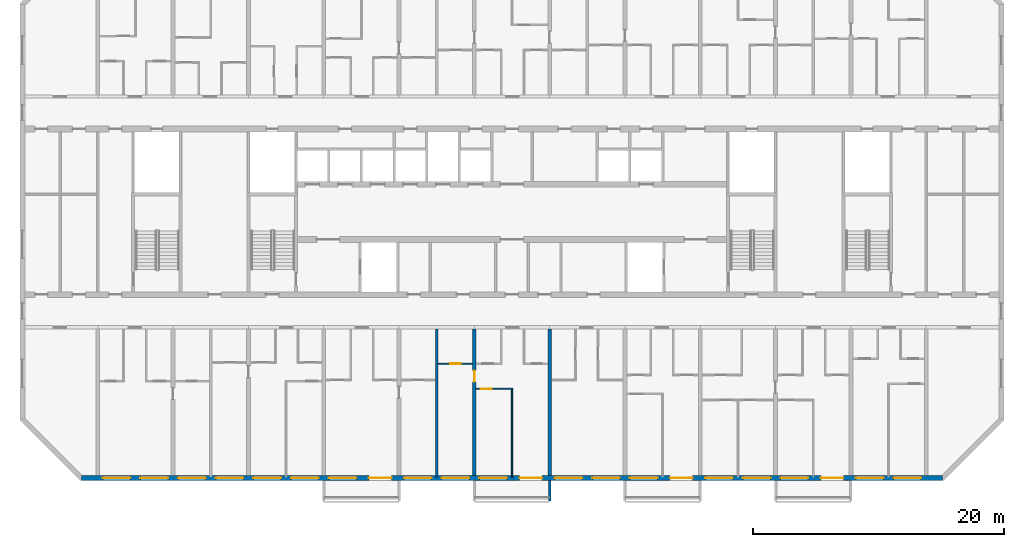
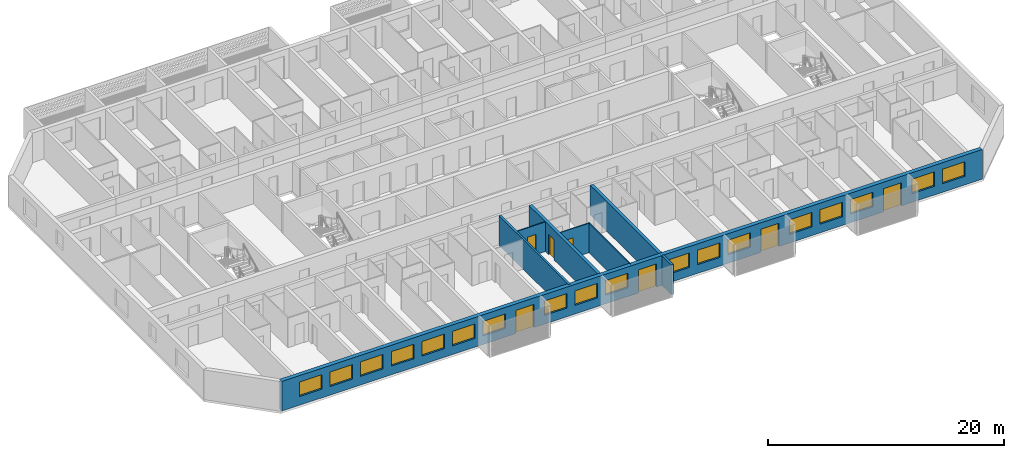
# One storey, part 4 of 32: 18 windows, 8 walls, 7 doors, 25 openings.
"""IFC4 building model written with IfcOpenShell, lengths in metres."""

from ifc_helpers import new_model, si_unit, direction, frame, frame_2d, origin, place, context, subcontext, project, spatial, polyline, rectangle, outline, extrude, source, transform, mapped, material, layer, layer_set, type_object, element, fill, save


model = new_model("IFC4")

# Units and contexts
model_context = context("Model", 3, precision=1e-05, world=origin(), true_north=direction((0.0, 1.0)))
body_context = subcontext(model_context, "Body", "Model", "MODEL_VIEW")
ifc_project = project(units=[si_unit("LENGTHUNIT", "METRE"), si_unit("AREAUNIT", "SQUARE_METRE"), si_unit("VOLUMEUNIT", "CUBIC_METRE"), si_unit("PLANEANGLEUNIT", "RADIAN"), si_unit("MASSUNIT", "GRAM", prefix="KILO")], contexts=[model_context])

# Site, building, storey
site_placement = place(None, origin())
site = spatial("IfcSite", under=ifc_project, at=site_placement, CompositionType="ELEMENT")
building_placement = place(site_placement, origin())
building = spatial("IfcBuilding", under=site, at=building_placement, Name="Poui Terraces", CompositionType="ELEMENT")
storey_placement = place(building_placement, frame((0.0, 0.0, 125.699951171875)))
storey = spatial("IfcBuildingStorey", under=building, at=storey_placement, Name="L34", CompositionType="ELEMENT", Elevation=125.699951171875)

# Wall, opening, door
ifc_material_1 = material(Name="Concrete 65 MPa", Category="concrete")
ifc_layer_1 = layer(ifc_material_1, 0.300048828125)
ifc_layer_set_1 = layer_set([ifc_layer_1], Name="Concrete 65 MPa")
wall_type_1 = type_object("IfcWallType", Name="CROSS WALL 300 65MPa", PredefinedType="SHEAR", material=ifc_layer_set_1)
wall_1_placement = place(storey_placement, frame((48.0, 0.199951171875, 0.0), z_axis=(0.0, 0.0, 1.0), x_axis=(0.0, 1.0, 0.0)))
wall_1 = element("IfcWall", 1, at=wall_1_placement, inside=storey, type_object=wall_type_1, Name="CROSS WALL LINE 9 SOUTH", PredefinedType="SHEAR", context=body_context, shape_type="SweptSolid", body=[
    extrude(rectangle(XDim=11.675048828125, YDim=0.300048828125, at=frame_2d((5.83740234375, 0.0))), origin(), (0.0, 0.0, 1.0), 3.070068359375),
])
opening_1_placement = place(wall_1_placement, frame((7.449951171875, 0.0, 0.0)))
opening_1 = element("IfcOpeningElement", 2, at=opening_1_placement, cuts=wall_1, Name="Opening D90", PredefinedType="OPENING", context=body_context, shape_type="SweptSolid", body=[
    extrude(rectangle(XDim=0.89990234375, YDim=2.10009765625, at=frame_2d((0.449951171875, 1.050048828125))), frame((0.0, 0.16015625, 0.0), z_axis=(0.0, -1.0, 0.0), x_axis=(1.0, 0.0, 0.0)), (0.0, 0.0, 1.0), 0.320068359375),
])
ifc_material_2 = material(Name="Solid core timber door", Category="wood")
door_type_1 = type_object("IfcDoorType", Name="INTERNAL DOOR 900 X 2100", OperationType="NOTDEFINED", PredefinedType="DOOR", material=ifc_material_2)
door_1_placement = place(opening_1_placement, origin())
door_1 = element("IfcDoor", 3, at=door_1_placement, inside=storey, type_object=door_type_1, Name="INTERNAL DOOR 096", OperationType="SINGLE_SWING_RIGHT", OverallHeight=2.10009765625, OverallWidth=0.89990234375, PredefinedType="DOOR", context=body_context, shape_type="SweptSolid", body=[
    extrude(rectangle(XDim=0.89990234375, YDim=2.10009765625, at=frame_2d((0.449951171875, 1.050048828125))), frame((0.0, 0.02490234375, 0.0), z_axis=(0.0, -1.0, 0.0), x_axis=(1.0, 0.0, 0.0)), (0.0, 0.0, 1.0), 0.050048828125),
])
fill(opening_1, door_1)

# Wall
wall_2_placement = place(storey_placement, frame((54.0, 0.199951171875, 0.0), z_axis=(0.0, 0.0, 1.0), x_axis=(0.0, 1.0, 0.0)))
element("IfcWall", 4, at=wall_2_placement, inside=storey, type_object=wall_type_1, Name="CROSS WALL LINE 10 SOUTH", PredefinedType="SHEAR", context=body_context, shape_type="SweptSolid", body=[
    extrude(rectangle(XDim=11.675048828125, YDim=0.300048828125, at=frame_2d((5.83740234375, 0.0))), origin(), (0.0, 0.0, 1.0), 3.070068359375),
])

# Wall, openings, doors, windows
ifc_material_3 = material(Name="Precast concrete 40 MPa", Category="concrete")
ifc_layer_2 = layer(ifc_material_3, 0.39990234375)
ifc_layer_set_2 = layer_set([ifc_layer_2], Name="Precast concrete 40 MPa")
wall_type_2 = type_object("IfcWallType", Name="EXTERNAL WALL 400", PredefinedType="STANDARD", material=ifc_layer_set_2)
wall_3_placement = place(storey_placement, frame((16.682861328125, 0.0, 0.0), z_axis=(0.0, 0.0, 1.0), x_axis=(1.0, 0.0, 0.0)))
wall_3 = element("IfcWall", 5, at=wall_3_placement, inside=storey, type_object=wall_type_2, Name="EXTERNAL WALL S", PredefinedType="STANDARD", context=body_context, shape_type="SweptSolid", body=[
    extrude(rectangle(XDim=68.63427734375, YDim=0.39990234375, at=frame_2d((34.317138671875, 0.0))), origin(), (0.0, 0.0, 1.0), 3.070068359375),
])
opening_2_placement = place(wall_3_placement, frame((1.71728515625, 0.0, 0.89990234375)))
opening_2 = element("IfcOpeningElement", 6, at=opening_2_placement, cuts=wall_3, Name="Opening W1", PredefinedType="OPENING", context=body_context, shape_type="SweptSolid", body=[
    extrude(rectangle(XDim=2.199951171875, YDim=1.5, at=frame_2d((1.10009765625, 0.75))), frame((0.0, 0.2099609375, 0.0), z_axis=(0.0, -1.0, 0.0), x_axis=(1.0, 0.0, 0.0)), (0.0, 0.0, 1.0), 0.419921875),
])
opening_3_placement = place(wall_3_placement, frame((4.71728515625, 0.0, 0.89990234375)))
opening_3 = element("IfcOpeningElement", 7, at=opening_3_placement, cuts=wall_3, Name="Opening W1", PredefinedType="OPENING", context=body_context, shape_type="SweptSolid", body=[
    extrude(rectangle(XDim=2.199951171875, YDim=1.5, at=frame_2d((1.10009765625, 0.75))), frame((0.0, 0.2099609375, 0.0), z_axis=(0.0, -1.0, 0.0), x_axis=(1.0, 0.0, 0.0)), (0.0, 0.0, 1.0), 0.419921875),
])
opening_4_placement = place(wall_3_placement, frame((7.71728515625, 0.0, 0.89990234375)))
opening_4 = element("IfcOpeningElement", 8, at=opening_4_placement, cuts=wall_3, Name="Opening W1", PredefinedType="OPENING", context=body_context, shape_type="SweptSolid", body=[
    extrude(rectangle(XDim=2.199951171875, YDim=1.5, at=frame_2d((1.10009765625, 0.75))), frame((0.0, 0.2099609375, 0.0), z_axis=(0.0, -1.0, 0.0), x_axis=(1.0, 0.0, 0.0)), (0.0, 0.0, 1.0), 0.419921875),
])
opening_5_placement = place(wall_3_placement, frame((10.71728515625, 0.0, 0.89990234375)))
opening_5 = element("IfcOpeningElement", 9, at=opening_5_placement, cuts=wall_3, Name="Opening W1", PredefinedType="OPENING", context=body_context, shape_type="SweptSolid", body=[
    extrude(rectangle(XDim=2.199951171875, YDim=1.5, at=frame_2d((1.10009765625, 0.75))), frame((0.0, 0.2099609375, 0.0), z_axis=(0.0, -1.0, 0.0), x_axis=(1.0, 0.0, 0.0)), (0.0, 0.0, 1.0), 0.419921875),
])
opening_6_placement = place(wall_3_placement, frame((13.71728515625, 0.0, 0.89990234375)))
opening_6 = element("IfcOpeningElement", 10, at=opening_6_placement, cuts=wall_3, Name="Opening W1", PredefinedType="OPENING", context=body_context, shape_type="SweptSolid", body=[
    extrude(rectangle(XDim=2.199951171875, YDim=1.5, at=frame_2d((1.10009765625, 0.75))), frame((0.0, 0.2099609375, 0.0), z_axis=(0.0, -1.0, 0.0), x_axis=(1.0, 0.0, 0.0)), (0.0, 0.0, 1.0), 0.419921875),
])
opening_7_placement = place(wall_3_placement, frame((16.71728515625, 0.0, 0.89990234375)))
opening_7 = element("IfcOpeningElement", 11, at=opening_7_placement, cuts=wall_3, Name="Opening W1", PredefinedType="OPENING", context=body_context, shape_type="SweptSolid", body=[
    extrude(rectangle(XDim=2.199951171875, YDim=1.5, at=frame_2d((1.10009765625, 0.75))), frame((0.0, 0.2099609375, 0.0), z_axis=(0.0, -1.0, 0.0), x_axis=(1.0, 0.0, 0.0)), (0.0, 0.0, 1.0), 0.419921875),
])
opening_8_placement = place(wall_3_placement, frame((19.71728515625, 0.0, 0.89990234375)))
opening_8 = element("IfcOpeningElement", 12, at=opening_8_placement, cuts=wall_3, Name="Opening W1", PredefinedType="OPENING", context=body_context, shape_type="SweptSolid", body=[
    extrude(rectangle(XDim=2.199951171875, YDim=1.5, at=frame_2d((1.10009765625, 0.75))), frame((0.0, 0.2099609375, 0.0), z_axis=(0.0, -1.0, 0.0), x_axis=(1.0, 0.0, 0.0)), (0.0, 0.0, 1.0), 0.419921875),
])
opening_9_placement = place(wall_3_placement, frame((22.917236328125, 0.0, 0.0)))
opening_9 = element("IfcOpeningElement", 13, at=opening_9_placement, cuts=wall_3, Name="Opening BD1", PredefinedType="OPENING", context=body_context, shape_type="SweptSolid", body=[
    extrude(rectangle(XDim=1.800048828125, YDim=2.39990234375, at=frame_2d((0.89990234375, 1.199951171875))), frame((0.0, 0.2099609375, 0.0), z_axis=(0.0, -1.0, 0.0), x_axis=(1.0, 0.0, 0.0)), (0.0, 0.0, 1.0), 0.419921875),
])
opening_10_placement = place(wall_3_placement, frame((25.71728515625, 0.0, 0.89990234375)))
opening_10 = element("IfcOpeningElement", 14, at=opening_10_placement, cuts=wall_3, Name="Opening W1", PredefinedType="OPENING", context=body_context, shape_type="SweptSolid", body=[
    extrude(rectangle(XDim=2.199951171875, YDim=1.5, at=frame_2d((1.10009765625, 0.75))), frame((0.0, 0.2099609375, 0.0), z_axis=(0.0, -1.0, 0.0), x_axis=(1.0, 0.0, 0.0)), (0.0, 0.0, 1.0), 0.419921875),
])
opening_11_placement = place(wall_3_placement, frame((28.71728515625, 0.0, 0.89990234375)))
opening_11 = element("IfcOpeningElement", 15, at=opening_11_placement, cuts=wall_3, Name="Opening W1", PredefinedType="OPENING", context=body_context, shape_type="SweptSolid", body=[
    extrude(rectangle(XDim=2.199951171875, YDim=1.5, at=frame_2d((1.10009765625, 0.75))), frame((0.0, 0.2099609375, 0.0), z_axis=(0.0, -1.0, 0.0), x_axis=(1.0, 0.0, 0.0)), (0.0, 0.0, 1.0), 0.419921875),
])
opening_12_placement = place(wall_3_placement, frame((31.71728515625, 0.0, 0.89990234375)))
opening_12 = element("IfcOpeningElement", 16, at=opening_12_placement, cuts=wall_3, Name="Opening W1", PredefinedType="OPENING", context=body_context, shape_type="SweptSolid", body=[
    extrude(rectangle(XDim=2.199951171875, YDim=1.5, at=frame_2d((1.10009765625, 0.75))), frame((0.0, 0.2099609375, 0.0), z_axis=(0.0, -1.0, 0.0), x_axis=(1.0, 0.0, 0.0)), (0.0, 0.0, 1.0), 0.419921875),
])
opening_13_placement = place(wall_3_placement, frame((34.917236328125, 0.0, 0.0)))
opening_13 = element("IfcOpeningElement", 17, at=opening_13_placement, cuts=wall_3, Name="Opening BD1", PredefinedType="OPENING", context=body_context, shape_type="SweptSolid", body=[
    extrude(rectangle(XDim=1.800048828125, YDim=2.39990234375, at=frame_2d((0.89990234375, 1.199951171875))), frame((0.0, 0.2099609375, 0.0), z_axis=(0.0, -1.0, 0.0), x_axis=(1.0, 0.0, 0.0)), (0.0, 0.0, 1.0), 0.419921875),
])
opening_14_placement = place(wall_3_placement, frame((37.71728515625, 0.0, 0.89990234375)))
opening_14 = element("IfcOpeningElement", 18, at=opening_14_placement, cuts=wall_3, Name="Opening W1", PredefinedType="OPENING", context=body_context, shape_type="SweptSolid", body=[
    extrude(rectangle(XDim=2.199951171875, YDim=1.5, at=frame_2d((1.10009765625, 0.75))), frame((0.0, 0.2099609375, 0.0), z_axis=(0.0, -1.0, 0.0), x_axis=(1.0, 0.0, 0.0)), (0.0, 0.0, 1.0), 0.419921875),
])
opening_15_placement = place(wall_3_placement, frame((40.71728515625, 0.0, 0.89990234375)))
opening_15 = element("IfcOpeningElement", 19, at=opening_15_placement, cuts=wall_3, Name="Opening W1", PredefinedType="OPENING", context=body_context, shape_type="SweptSolid", body=[
    extrude(rectangle(XDim=2.199951171875, YDim=1.5, at=frame_2d((1.10009765625, 0.75))), frame((0.0, 0.2099609375, 0.0), z_axis=(0.0, -1.0, 0.0), x_axis=(1.0, 0.0, 0.0)), (0.0, 0.0, 1.0), 0.419921875),
])
opening_16_placement = place(wall_3_placement, frame((43.71728515625, 0.0, 0.89990234375)))
opening_16 = element("IfcOpeningElement", 20, at=opening_16_placement, cuts=wall_3, Name="Opening W1", PredefinedType="OPENING", context=body_context, shape_type="SweptSolid", body=[
    extrude(rectangle(XDim=2.199951171875, YDim=1.5, at=frame_2d((1.10009765625, 0.75))), frame((0.0, 0.2099609375, 0.0), z_axis=(0.0, -1.0, 0.0), x_axis=(1.0, 0.0, 0.0)), (0.0, 0.0, 1.0), 0.419921875),
])
opening_17_placement = place(wall_3_placement, frame((46.917236328125, 0.0, 0.0)))
opening_17 = element("IfcOpeningElement", 21, at=opening_17_placement, cuts=wall_3, Name="Opening BD1", PredefinedType="OPENING", context=body_context, shape_type="SweptSolid", body=[
    extrude(rectangle(XDim=1.800048828125, YDim=2.39990234375, at=frame_2d((0.89990234375, 1.199951171875))), frame((0.0, 0.2099609375, 0.0), z_axis=(0.0, -1.0, 0.0), x_axis=(1.0, 0.0, 0.0)), (0.0, 0.0, 1.0), 0.419921875),
])
opening_18_placement = place(wall_3_placement, frame((49.71728515625, 0.0, 0.89990234375)))
opening_18 = element("IfcOpeningElement", 22, at=opening_18_placement, cuts=wall_3, Name="Opening W1", PredefinedType="OPENING", context=body_context, shape_type="SweptSolid", body=[
    extrude(rectangle(XDim=2.199951171875, YDim=1.5, at=frame_2d((1.10009765625, 0.75))), frame((0.0, 0.2099609375, 0.0), z_axis=(0.0, -1.0, 0.0), x_axis=(1.0, 0.0, 0.0)), (0.0, 0.0, 1.0), 0.419921875),
])
opening_19_placement = place(wall_3_placement, frame((52.71728515625, 0.0, 0.89990234375)))
opening_19 = element("IfcOpeningElement", 23, at=opening_19_placement, cuts=wall_3, Name="Opening W1", PredefinedType="OPENING", context=body_context, shape_type="SweptSolid", body=[
    extrude(rectangle(XDim=2.199951171875, YDim=1.5, at=frame_2d((1.10009765625, 0.75))), frame((0.0, 0.2099609375, 0.0), z_axis=(0.0, -1.0, 0.0), x_axis=(1.0, 0.0, 0.0)), (0.0, 0.0, 1.0), 0.419921875),
])
opening_20_placement = place(wall_3_placement, frame((55.71728515625, 0.0, 0.89990234375)))
opening_20 = element("IfcOpeningElement", 24, at=opening_20_placement, cuts=wall_3, Name="Opening W1", PredefinedType="OPENING", context=body_context, shape_type="SweptSolid", body=[
    extrude(rectangle(XDim=2.199951171875, YDim=1.5, at=frame_2d((1.10009765625, 0.75))), frame((0.0, 0.2099609375, 0.0), z_axis=(0.0, -1.0, 0.0), x_axis=(1.0, 0.0, 0.0)), (0.0, 0.0, 1.0), 0.419921875),
])
opening_21_placement = place(wall_3_placement, frame((58.917236328125, 0.0, 0.0)))
opening_21 = element("IfcOpeningElement", 25, at=opening_21_placement, cuts=wall_3, Name="Opening BD1", PredefinedType="OPENING", context=body_context, shape_type="SweptSolid", body=[
    extrude(rectangle(XDim=1.800048828125, YDim=2.39990234375, at=frame_2d((0.89990234375, 1.199951171875))), frame((0.0, 0.2099609375, 0.0), z_axis=(0.0, -1.0, 0.0), x_axis=(1.0, 0.0, 0.0)), (0.0, 0.0, 1.0), 0.419921875),
])
opening_22_placement = place(wall_3_placement, frame((61.71728515625, 0.0, 0.89990234375)))
opening_22 = element("IfcOpeningElement", 26, at=opening_22_placement, cuts=wall_3, Name="Opening W1", PredefinedType="OPENING", context=body_context, shape_type="SweptSolid", body=[
    extrude(rectangle(XDim=2.199951171875, YDim=1.5, at=frame_2d((1.10009765625, 0.75))), frame((0.0, 0.2099609375, 0.0), z_axis=(0.0, -1.0, 0.0), x_axis=(1.0, 0.0, 0.0)), (0.0, 0.0, 1.0), 0.419921875),
])
opening_23_placement = place(wall_3_placement, frame((64.71728515625, 0.0, 0.89990234375)))
opening_23 = element("IfcOpeningElement", 27, at=opening_23_placement, cuts=wall_3, Name="Opening W1", PredefinedType="OPENING", context=body_context, shape_type="SweptSolid", body=[
    extrude(rectangle(XDim=2.199951171875, YDim=1.5, at=frame_2d((1.10009765625, 0.75))), frame((0.0, 0.2099609375, 0.0), z_axis=(0.0, -1.0, 0.0), x_axis=(1.0, 0.0, 0.0)), (0.0, 0.0, 1.0), 0.419921875),
])
ifc_material_4 = material(Name="Clear glass in aluminium frame", Category="aluminium")
door_type_2 = type_object("IfcDoorType", Name="BALCONY DOOR 1800X2400", OperationType="DOUBLE_DOOR_SLIDING", PredefinedType="DOOR", material=ifc_material_4)
door_2_placement = place(opening_9_placement, origin())
door_2 = element("IfcDoor", 28, at=door_2_placement, inside=storey, type_object=door_type_2, Name="BD1 BALCONY DOOR", OperationType="DOUBLE_DOOR_SLIDING", OverallHeight=2.39990234375, OverallWidth=1.800048828125, PredefinedType="DOOR", context=body_context, shape_type="SweptSolid", body=[
    extrude(rectangle(XDim=1.800048828125, YDim=2.39990234375, at=frame_2d((0.89990234375, 1.199951171875))), frame((0.0, 0.02490234375, 0.0), z_axis=(0.0, -1.0, 0.0), x_axis=(1.0, 0.0, 0.0)), (0.0, 0.0, 1.0), 0.050048828125),
])
fill(opening_9, door_2)
door_3_placement = place(opening_13_placement, origin())
door_3 = element("IfcDoor", 29, at=door_3_placement, inside=storey, type_object=door_type_2, Name="BD1 BALCONY DOOR", OperationType="DOUBLE_DOOR_SLIDING", OverallHeight=2.39990234375, OverallWidth=1.800048828125, PredefinedType="DOOR", context=body_context, shape_type="SweptSolid", body=[
    extrude(rectangle(XDim=1.800048828125, YDim=2.39990234375, at=frame_2d((0.89990234375, 1.199951171875))), frame((0.0, 0.02490234375, 0.0), z_axis=(0.0, -1.0, 0.0), x_axis=(1.0, 0.0, 0.0)), (0.0, 0.0, 1.0), 0.050048828125),
])
fill(opening_13, door_3)
door_4_placement = place(opening_17_placement, origin())
door_4 = element("IfcDoor", 30, at=door_4_placement, inside=storey, type_object=door_type_2, Name="BD1 BALCONY DOOR", OperationType="DOUBLE_DOOR_SLIDING", OverallHeight=2.39990234375, OverallWidth=1.800048828125, PredefinedType="DOOR", context=body_context, shape_type="SweptSolid", body=[
    extrude(rectangle(XDim=1.800048828125, YDim=2.39990234375, at=frame_2d((0.89990234375, 1.199951171875))), frame((0.0, 0.02490234375, 0.0), z_axis=(0.0, -1.0, 0.0), x_axis=(1.0, 0.0, 0.0)), (0.0, 0.0, 1.0), 0.050048828125),
])
fill(opening_17, door_4)
door_5_placement = place(opening_21_placement, origin())
door_5 = element("IfcDoor", 31, at=door_5_placement, inside=storey, type_object=door_type_2, Name="BD1 BALCONY DOOR", OperationType="DOUBLE_DOOR_SLIDING", OverallHeight=2.39990234375, OverallWidth=1.800048828125, PredefinedType="DOOR", context=body_context, shape_type="SweptSolid", body=[
    extrude(rectangle(XDim=1.800048828125, YDim=2.39990234375, at=frame_2d((0.89990234375, 1.199951171875))), frame((0.0, 0.02490234375, 0.0), z_axis=(0.0, -1.0, 0.0), x_axis=(1.0, 0.0, 0.0)), (0.0, 0.0, 1.0), 0.050048828125),
])
fill(opening_21, door_5)
window_type = type_object("IfcWindowType", Name="WINDOW 2200X1500", PartitioningType="DOUBLE_PANEL_HORIZONTAL", PredefinedType="WINDOW", material=ifc_material_4)
window_1_placement = place(opening_2_placement, origin())
window_1 = element("IfcWindow", 32, at=window_1_placement, inside=storey, type_object=window_type, Name="W1 WINDOW", OverallHeight=1.5, OverallWidth=2.199951171875, PartitioningType="DOUBLE_PANEL_HORIZONTAL", PredefinedType="WINDOW", context=body_context, shape_type="SweptSolid", body=[
    extrude(rectangle(XDim=2.199951171875, YDim=1.5, at=frame_2d((1.10009765625, 0.75))), frame((0.0, 0.030029296875, 0.0), z_axis=(0.0, -1.0, 0.0), x_axis=(1.0, 0.0, 0.0)), (0.0, 0.0, 1.0), 0.06005859375),
])
fill(opening_2, window_1)
window_2_placement = place(opening_3_placement, origin())
window_2 = element("IfcWindow", 33, at=window_2_placement, inside=storey, type_object=window_type, Name="W1 WINDOW", OverallHeight=1.5, OverallWidth=2.199951171875, PartitioningType="DOUBLE_PANEL_HORIZONTAL", PredefinedType="WINDOW", context=body_context, shape_type="SweptSolid", body=[
    extrude(rectangle(XDim=2.199951171875, YDim=1.5, at=frame_2d((1.10009765625, 0.75))), frame((0.0, 0.030029296875, 0.0), z_axis=(0.0, -1.0, 0.0), x_axis=(1.0, 0.0, 0.0)), (0.0, 0.0, 1.0), 0.06005859375),
])
fill(opening_3, window_2)
window_3_placement = place(opening_4_placement, origin())
window_3 = element("IfcWindow", 34, at=window_3_placement, inside=storey, type_object=window_type, Name="W1 WINDOW", OverallHeight=1.5, OverallWidth=2.199951171875, PartitioningType="DOUBLE_PANEL_HORIZONTAL", PredefinedType="WINDOW", context=body_context, shape_type="SweptSolid", body=[
    extrude(rectangle(XDim=2.199951171875, YDim=1.5, at=frame_2d((1.10009765625, 0.75))), frame((0.0, 0.030029296875, 0.0), z_axis=(0.0, -1.0, 0.0), x_axis=(1.0, 0.0, 0.0)), (0.0, 0.0, 1.0), 0.06005859375),
])
fill(opening_4, window_3)
window_4_placement = place(opening_5_placement, origin())
window_4 = element("IfcWindow", 35, at=window_4_placement, inside=storey, type_object=window_type, Name="W1 WINDOW", OverallHeight=1.5, OverallWidth=2.199951171875, PartitioningType="DOUBLE_PANEL_HORIZONTAL", PredefinedType="WINDOW", context=body_context, shape_type="SweptSolid", body=[
    extrude(rectangle(XDim=2.199951171875, YDim=1.5, at=frame_2d((1.10009765625, 0.75))), frame((0.0, 0.030029296875, 0.0), z_axis=(0.0, -1.0, 0.0), x_axis=(1.0, 0.0, 0.0)), (0.0, 0.0, 1.0), 0.06005859375),
])
fill(opening_5, window_4)
window_5_placement = place(opening_6_placement, origin())
window_5 = element("IfcWindow", 36, at=window_5_placement, inside=storey, type_object=window_type, Name="W1 WINDOW", OverallHeight=1.5, OverallWidth=2.199951171875, PartitioningType="DOUBLE_PANEL_HORIZONTAL", PredefinedType="WINDOW", context=body_context, shape_type="SweptSolid", body=[
    extrude(rectangle(XDim=2.199951171875, YDim=1.5, at=frame_2d((1.10009765625, 0.75))), frame((0.0, 0.030029296875, 0.0), z_axis=(0.0, -1.0, 0.0), x_axis=(1.0, 0.0, 0.0)), (0.0, 0.0, 1.0), 0.06005859375),
])
fill(opening_6, window_5)
window_6_placement = place(opening_7_placement, origin())
window_6 = element("IfcWindow", 37, at=window_6_placement, inside=storey, type_object=window_type, Name="W1 WINDOW", OverallHeight=1.5, OverallWidth=2.199951171875, PartitioningType="DOUBLE_PANEL_HORIZONTAL", PredefinedType="WINDOW", context=body_context, shape_type="SweptSolid", body=[
    extrude(rectangle(XDim=2.199951171875, YDim=1.5, at=frame_2d((1.10009765625, 0.75))), frame((0.0, 0.030029296875, 0.0), z_axis=(0.0, -1.0, 0.0), x_axis=(1.0, 0.0, 0.0)), (0.0, 0.0, 1.0), 0.06005859375),
])
fill(opening_7, window_6)
window_7_placement = place(opening_8_placement, origin())
window_7 = element("IfcWindow", 38, at=window_7_placement, inside=storey, type_object=window_type, Name="W1 WINDOW", OverallHeight=1.5, OverallWidth=2.199951171875, PartitioningType="DOUBLE_PANEL_HORIZONTAL", PredefinedType="WINDOW", context=body_context, shape_type="SweptSolid", body=[
    extrude(rectangle(XDim=2.199951171875, YDim=1.5, at=frame_2d((1.10009765625, 0.75))), frame((0.0, 0.030029296875, 0.0), z_axis=(0.0, -1.0, 0.0), x_axis=(1.0, 0.0, 0.0)), (0.0, 0.0, 1.0), 0.06005859375),
])
fill(opening_8, window_7)
window_8_placement = place(opening_10_placement, origin())
window_8 = element("IfcWindow", 39, at=window_8_placement, inside=storey, type_object=window_type, Name="W1 WINDOW", OverallHeight=1.5, OverallWidth=2.199951171875, PartitioningType="DOUBLE_PANEL_HORIZONTAL", PredefinedType="WINDOW", context=body_context, shape_type="SweptSolid", body=[
    extrude(rectangle(XDim=2.199951171875, YDim=1.5, at=frame_2d((1.10009765625, 0.75))), frame((0.0, 0.030029296875, 0.0), z_axis=(0.0, -1.0, 0.0), x_axis=(1.0, 0.0, 0.0)), (0.0, 0.0, 1.0), 0.06005859375),
])
fill(opening_10, window_8)
window_9_placement = place(opening_11_placement, origin())
window_9 = element("IfcWindow", 40, at=window_9_placement, inside=storey, type_object=window_type, Name="W1 WINDOW", OverallHeight=1.5, OverallWidth=2.199951171875, PartitioningType="DOUBLE_PANEL_HORIZONTAL", PredefinedType="WINDOW", context=body_context, shape_type="SweptSolid", body=[
    extrude(rectangle(XDim=2.199951171875, YDim=1.5, at=frame_2d((1.10009765625, 0.75))), frame((0.0, 0.030029296875, 0.0), z_axis=(0.0, -1.0, 0.0), x_axis=(1.0, 0.0, 0.0)), (0.0, 0.0, 1.0), 0.06005859375),
])
fill(opening_11, window_9)
window_10_placement = place(opening_12_placement, origin())
window_10 = element("IfcWindow", 41, at=window_10_placement, inside=storey, type_object=window_type, Name="W1 WINDOW", OverallHeight=1.5, OverallWidth=2.199951171875, PartitioningType="DOUBLE_PANEL_HORIZONTAL", PredefinedType="WINDOW", context=body_context, shape_type="SweptSolid", body=[
    extrude(rectangle(XDim=2.199951171875, YDim=1.5, at=frame_2d((1.10009765625, 0.75))), frame((0.0, 0.030029296875, 0.0), z_axis=(0.0, -1.0, 0.0), x_axis=(1.0, 0.0, 0.0)), (0.0, 0.0, 1.0), 0.06005859375),
])
fill(opening_12, window_10)
window_11_placement = place(opening_14_placement, origin())
window_11 = element("IfcWindow", 42, at=window_11_placement, inside=storey, type_object=window_type, Name="W1 WINDOW", OverallHeight=1.5, OverallWidth=2.199951171875, PartitioningType="DOUBLE_PANEL_HORIZONTAL", PredefinedType="WINDOW", context=body_context, shape_type="SweptSolid", body=[
    extrude(rectangle(XDim=2.199951171875, YDim=1.5, at=frame_2d((1.10009765625, 0.75))), frame((0.0, 0.030029296875, 0.0), z_axis=(0.0, -1.0, 0.0), x_axis=(1.0, 0.0, 0.0)), (0.0, 0.0, 1.0), 0.06005859375),
])
fill(opening_14, window_11)
window_12_placement = place(opening_15_placement, origin())
window_12 = element("IfcWindow", 43, at=window_12_placement, inside=storey, type_object=window_type, Name="W1 WINDOW", OverallHeight=1.5, OverallWidth=2.199951171875, PartitioningType="DOUBLE_PANEL_HORIZONTAL", PredefinedType="WINDOW", context=body_context, shape_type="SweptSolid", body=[
    extrude(rectangle(XDim=2.199951171875, YDim=1.5, at=frame_2d((1.10009765625, 0.75))), frame((0.0, 0.030029296875, 0.0), z_axis=(0.0, -1.0, 0.0), x_axis=(1.0, 0.0, 0.0)), (0.0, 0.0, 1.0), 0.06005859375),
])
fill(opening_15, window_12)
window_13_placement = place(opening_16_placement, origin())
window_13 = element("IfcWindow", 44, at=window_13_placement, inside=storey, type_object=window_type, Name="W1 WINDOW", OverallHeight=1.5, OverallWidth=2.199951171875, PartitioningType="DOUBLE_PANEL_HORIZONTAL", PredefinedType="WINDOW", context=body_context, shape_type="SweptSolid", body=[
    extrude(rectangle(XDim=2.199951171875, YDim=1.5, at=frame_2d((1.10009765625, 0.75))), frame((0.0, 0.030029296875, 0.0), z_axis=(0.0, -1.0, 0.0), x_axis=(1.0, 0.0, 0.0)), (0.0, 0.0, 1.0), 0.06005859375),
])
fill(opening_16, window_13)
window_14_placement = place(opening_18_placement, origin())
window_14 = element("IfcWindow", 45, at=window_14_placement, inside=storey, type_object=window_type, Name="W1 WINDOW", OverallHeight=1.5, OverallWidth=2.199951171875, PartitioningType="DOUBLE_PANEL_HORIZONTAL", PredefinedType="WINDOW", context=body_context, shape_type="SweptSolid", body=[
    extrude(rectangle(XDim=2.199951171875, YDim=1.5, at=frame_2d((1.10009765625, 0.75))), frame((0.0, 0.030029296875, 0.0), z_axis=(0.0, -1.0, 0.0), x_axis=(1.0, 0.0, 0.0)), (0.0, 0.0, 1.0), 0.06005859375),
])
fill(opening_18, window_14)
window_15_placement = place(opening_19_placement, origin())
window_15 = element("IfcWindow", 46, at=window_15_placement, inside=storey, type_object=window_type, Name="W1 WINDOW", OverallHeight=1.5, OverallWidth=2.199951171875, PartitioningType="DOUBLE_PANEL_HORIZONTAL", PredefinedType="WINDOW", context=body_context, shape_type="SweptSolid", body=[
    extrude(rectangle(XDim=2.199951171875, YDim=1.5, at=frame_2d((1.10009765625, 0.75))), frame((0.0, 0.030029296875, 0.0), z_axis=(0.0, -1.0, 0.0), x_axis=(1.0, 0.0, 0.0)), (0.0, 0.0, 1.0), 0.06005859375),
])
fill(opening_19, window_15)
window_16_placement = place(opening_20_placement, origin())
window_16 = element("IfcWindow", 47, at=window_16_placement, inside=storey, type_object=window_type, Name="W1 WINDOW", OverallHeight=1.5, OverallWidth=2.199951171875, PartitioningType="DOUBLE_PANEL_HORIZONTAL", PredefinedType="WINDOW", context=body_context, shape_type="SweptSolid", body=[
    extrude(rectangle(XDim=2.199951171875, YDim=1.5, at=frame_2d((1.10009765625, 0.75))), frame((0.0, 0.030029296875, 0.0), z_axis=(0.0, -1.0, 0.0), x_axis=(1.0, 0.0, 0.0)), (0.0, 0.0, 1.0), 0.06005859375),
])
fill(opening_20, window_16)
window_17_placement = place(opening_22_placement, origin())
window_17 = element("IfcWindow", 48, at=window_17_placement, inside=storey, type_object=window_type, Name="W1 WINDOW", OverallHeight=1.5, OverallWidth=2.199951171875, PartitioningType="DOUBLE_PANEL_HORIZONTAL", PredefinedType="WINDOW", context=body_context, shape_type="SweptSolid", body=[
    extrude(rectangle(XDim=2.199951171875, YDim=1.5, at=frame_2d((1.10009765625, 0.75))), frame((0.0, 0.030029296875, 0.0), z_axis=(0.0, -1.0, 0.0), x_axis=(1.0, 0.0, 0.0)), (0.0, 0.0, 1.0), 0.06005859375),
])
fill(opening_22, window_17)
window_18_placement = place(opening_23_placement, origin())
window_18 = element("IfcWindow", 49, at=window_18_placement, inside=storey, type_object=window_type, Name="W1 WINDOW", OverallHeight=1.5, OverallWidth=2.199951171875, PartitioningType="DOUBLE_PANEL_HORIZONTAL", PredefinedType="WINDOW", context=body_context, shape_type="SweptSolid", body=[
    extrude(rectangle(XDim=2.199951171875, YDim=1.5, at=frame_2d((1.10009765625, 0.75))), frame((0.0, 0.030029296875, 0.0), z_axis=(0.0, -1.0, 0.0), x_axis=(1.0, 0.0, 0.0)), (0.0, 0.0, 1.0), 0.06005859375),
])
fill(opening_23, window_18)

# Wall, opening, door
ifc_material_5 = material(Name="Plasterboard partition")
ifc_layer_3 = layer(ifc_material_5, 0.10009765625)
ifc_layer_set_3 = layer_set([ifc_layer_3], Name="Plasterboard partition")
wall_type_3 = type_object("IfcWallType", Name="FLAT PARTITION 100", PredefinedType="PARTITIONING", material=ifc_layer_set_3)
wall_4_placement = place(storey_placement, frame((48.159912109375, 7.10009765625, 0.0), z_axis=(0.0, 0.0, 1.0), x_axis=(1.0, 0.0, 0.0)))
wall_4 = element("IfcWall", 50, at=wall_4_placement, inside=storey, type_object=wall_type_3, Name="FLAT PARTITION 100", PredefinedType="PARTITIONING", context=body_context, shape_type="SweptSolid", body=[
    extrude(rectangle(XDim=2.89013671875, YDim=0.10009765625, at=frame_2d((1.445068359375, 0.0))), origin(), (0.0, 0.0, 1.0), 3.070068359375),
])
opening_24_placement = place(wall_4_placement, frame((0.340087890625, 0.0, 0.0)))
opening_24 = element("IfcOpeningElement", 51, at=opening_24_placement, cuts=wall_4, Name="Opening D90", PredefinedType="OPENING", context=body_context, shape_type="SweptSolid", body=[
    extrude(rectangle(XDim=0.89990234375, YDim=2.10009765625, at=frame_2d((0.449951171875, 1.050048828125))), frame((0.0, 0.06005859375, 0.0), z_axis=(0.0, -1.0, 0.0), x_axis=(1.0, 0.0, 0.0)), (0.0, 0.0, 1.0), 0.1201171875),
])
door_6_placement = place(opening_24_placement, origin())
door_6 = element("IfcDoor", 52, at=door_6_placement, inside=storey, type_object=door_type_1, Name="INTERNAL DOOR 097", OperationType="SINGLE_SWING_RIGHT", OverallHeight=2.10009765625, OverallWidth=0.89990234375, PredefinedType="DOOR", context=body_context, shape_type="SweptSolid", body=[
    extrude(rectangle(XDim=0.89990234375, YDim=2.10009765625, at=frame_2d((0.449951171875, 1.050048828125))), frame((0.0, 0.02490234375, 0.0), z_axis=(0.0, -1.0, 0.0), x_axis=(1.0, 0.0, 0.0)), (0.0, 0.0, 1.0), 0.050048828125),
])
fill(opening_24, door_6)

wall_5_placement = place(storey_placement, frame((45.10009765625, 9.10009765625, 0.0), z_axis=(0.0, 0.0, 1.0), x_axis=(1.0, 0.0, 0.0)))
wall_5 = element("IfcWall", 53, at=wall_5_placement, inside=storey, type_object=wall_type_3, Name="FLAT PARTITION 100", PredefinedType="PARTITIONING", context=body_context, shape_type="SweptSolid", body=[
    extrude(rectangle(XDim=2.739990234375, YDim=0.10009765625, at=frame_2d((1.3701171875, 0.0))), origin(), (0.0, 0.0, 1.0), 3.070068359375),
])
opening_25_placement = place(wall_5_placement, frame((1.0, 0.0, 0.0)))
opening_25 = element("IfcOpeningElement", 54, at=opening_25_placement, cuts=wall_5, Name="Opening D80", PredefinedType="OPENING", context=body_context, shape_type="SweptSolid", body=[
    extrude(rectangle(XDim=0.800048828125, YDim=2.10009765625, at=frame_2d((0.39990234375, 1.050048828125))), frame((0.0, 0.06005859375, 0.0), z_axis=(0.0, -1.0, 0.0), x_axis=(1.0, 0.0, 0.0)), (0.0, 0.0, 1.0), 0.1201171875),
])
door_type_3 = type_object("IfcDoorType", Name="BATHROOM, LAUNDRY AND STORE DOOR 800 X 2100", OperationType="NOTDEFINED", PredefinedType="DOOR", material=ifc_material_2)
door_7_placement = place(opening_25_placement, origin())
door_7 = element("IfcDoor", 55, at=door_7_placement, inside=storey, type_object=door_type_3, Name="BATHROOM, LAUNDRY AND STORE DOOR 095", OperationType="SINGLE_SWING_LEFT", OverallHeight=2.10009765625, OverallWidth=0.800048828125, PredefinedType="DOOR", context=body_context, shape_type="SweptSolid", body=[
    extrude(rectangle(XDim=0.800048828125, YDim=2.10009765625, at=frame_2d((0.39990234375, 1.050048828125))), frame((0.0, 0.02490234375, 0.0), z_axis=(0.0, -1.0, 0.0), x_axis=(1.0, 0.0, 0.0)), (0.0, 0.0, 1.0), 0.050048828125),
])
fill(opening_25, door_7)

# Walls
wall_6_placement = place(storey_placement, frame((51.0, 0.06005859375, 0.0), z_axis=(0.0, 0.0, 1.0), x_axis=(0.0, 1.0, 0.0)))
element("IfcWall", 56, at=wall_6_placement, inside=storey, type_object=wall_type_3, Name="FLAT PARTITION 100", PredefinedType="PARTITIONING", context=body_context, shape_type="SweptSolid", body=[
    extrude(rectangle(XDim=6.989990234375, YDim=0.10009765625, at=frame_2d((3.4951171875, 0.0))), origin(), (0.0, 0.0, 1.0), 3.070068359375),
])
ifc_material_6 = material(Name="Fire-rated masonry wall", Category="masonry")
ifc_layer_4 = layer(ifc_material_6, 0.199951171875)
ifc_layer_set_4 = layer_set([ifc_layer_4], Name="Fire-rated masonry wall")
wall_type_4 = type_object("IfcWallType", Name="FLAT PARTY WALL 200", PredefinedType="PARTITIONING", material=ifc_layer_set_4)
wall_7_placement = place(storey_placement, frame((45.0, 0.06005859375, 0.0), z_axis=(0.0, 0.0, 1.0), x_axis=(0.0, 1.0, 0.0)))
element("IfcWall", 57, at=wall_7_placement, inside=storey, type_object=wall_type_4, Name="FLAT PARTY WALL 200", PredefinedType="PARTITIONING", context=body_context, shape_type="SweptSolid", body=[
    extrude(rectangle(XDim=11.804931640625, YDim=0.199951171875, at=frame_2d((5.90234375, 0.0))), origin(), (0.0, 0.0, 1.0), 3.070068359375),
])
ifc_layer_5 = layer(ifc_material_3, 0.199951171875)
ifc_layer_set_5 = layer_set([ifc_layer_5], Name="Precast concrete 40 MPa")
wall_type_5 = type_object("IfcWallType", Name="REAR FIN 200", PredefinedType="STANDARD", material=ifc_layer_set_5)
shared_shape = source(origin(), body_context, "Body", "SweptSolid", [
    extrude(outline(polyline([(0.0, 0.0), (0.2001953125, 0.0), (0.2001953125, 1.650146484375), (0.0, 1.650146484375), (0.0, 0.0)])), origin(), (0.0, 0.0, 1.0), 3.10009765625),
])
wall_8_placement = place(storey_placement, frame((53.89990234375, -1.85009765625, 0.0)))
element("IfcWall", 58, at=wall_8_placement, inside=storey, type_object=wall_type_5, Name="REAR FIN", PredefinedType="STANDARD", context=body_context, shape_type="MappedRepresentation", body=[
    mapped(shared_shape, transform((0.0, 0.0, 0.0))),
])

save(model, "model.ifc")
